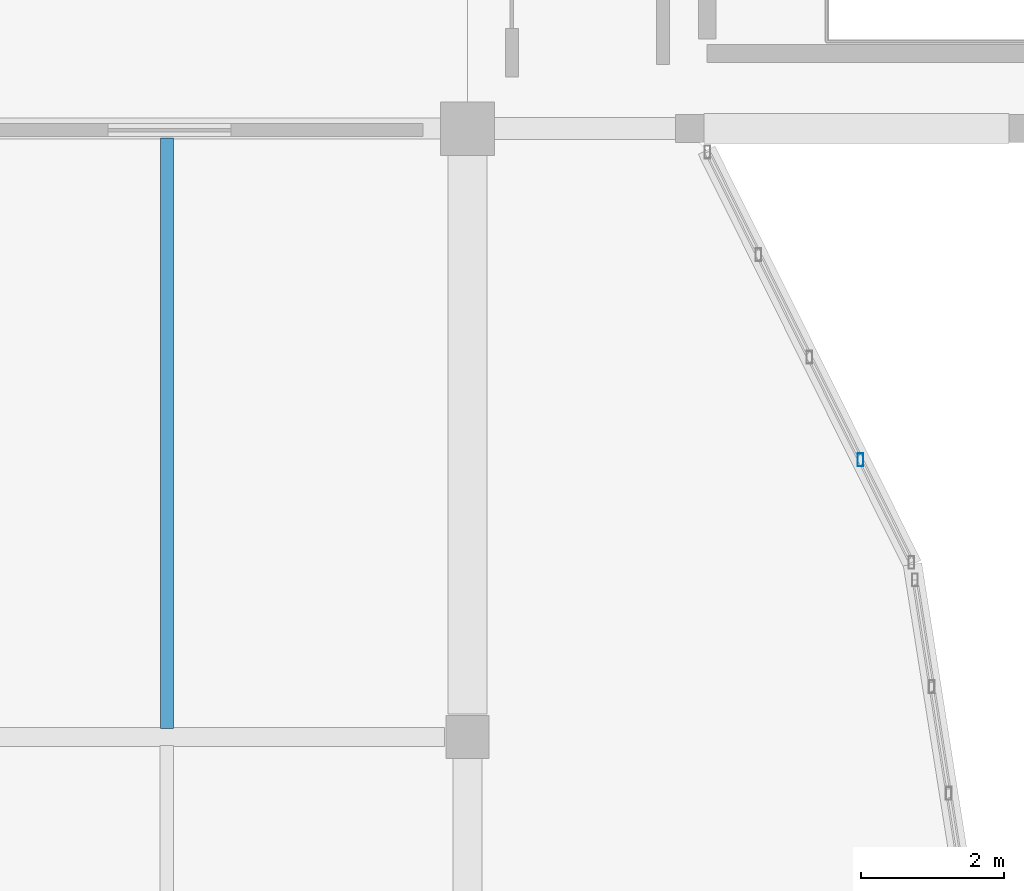
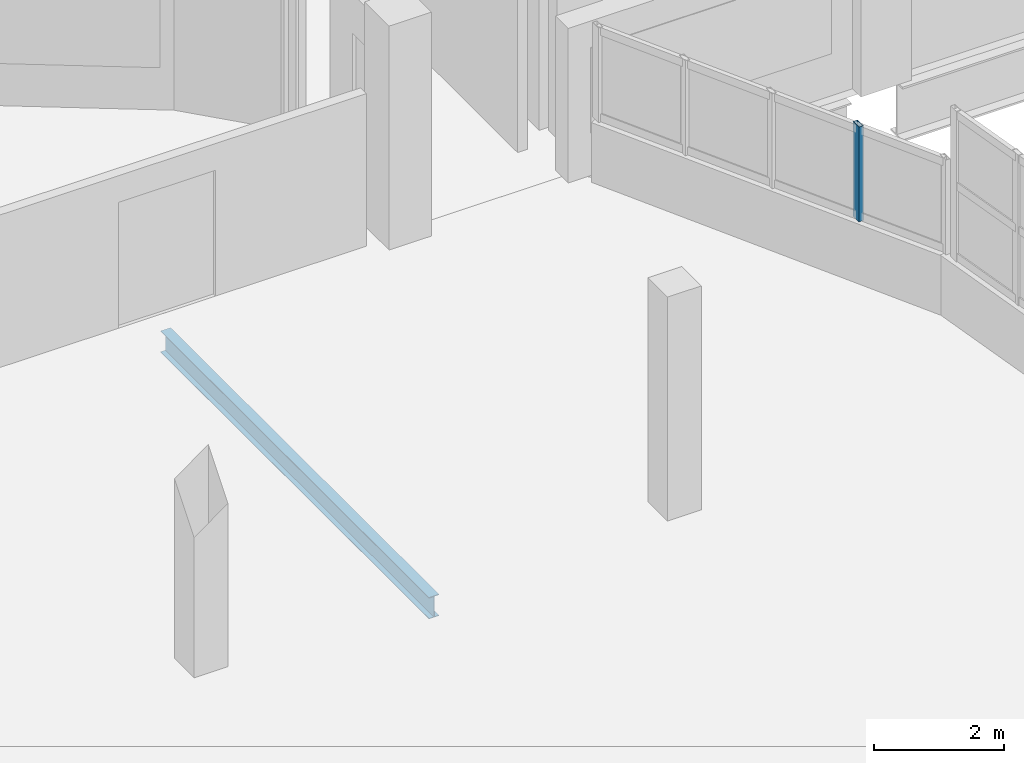
# One storey, part 24 of 52: 1 beam, 1 member, 1 element without a shape of its own.
"""IFC4 building model written with IfcOpenShell, lengths in metres."""

from ifc_helpers import new_model, si_unit, direction, frame, origin, origin_2d, place, context, subcontext, project, spatial, hollow_rectangle, i_section, extrude, material, material_profile, profile_set, type_object, element, aggregate, save


model = new_model("IFC4")

# Units and contexts
model_context = context("Model", 3, precision=1e-05, world=origin(), true_north=direction((0.0, 1.0)))
body_context = subcontext(model_context, "Body", "Model", "MODEL_VIEW")
ifc_project = project(units=[si_unit("LENGTHUNIT", "METRE"), si_unit("AREAUNIT", "SQUARE_METRE"), si_unit("VOLUMEUNIT", "CUBIC_METRE"), si_unit("PLANEANGLEUNIT", "RADIAN"), si_unit("MASSUNIT", "GRAM", prefix="KILO")], contexts=[model_context])

# Site, building, storey
site_placement = place(None, origin())
site = spatial("IfcSite", under=ifc_project, at=site_placement, CompositionType="ELEMENT")
building_placement = place(site_placement, origin())
building = spatial("IfcBuilding", under=site, at=building_placement, Name="Solvento Point Concert Hall", CompositionType="ELEMENT")
storey_placement = place(building_placement, frame((0.0, 0.0, 19.5)))
storey = spatial("IfcBuildingStorey", under=building, at=storey_placement, Name="L04", CompositionType="ELEMENT", Elevation=19.5)

# Beam
ifc_material_1 = material(Name="Structural Steel ASTM A992 Grade 50", Category="steel")
ifc_material_profile_1 = material_profile(ifc_material_1, i_section(OverallWidth=0.177490234375, OverallDepth=0.403076171875, WebThickness=0.007568359375, FlangeThickness=0.010986328125, at=origin_2d()), Name="W16X36")
ifc_profile_set_1 = profile_set([ifc_material_profile_1], Name="Structural Steel ASTM A992 Grade 50")
beam_type = type_object("IfcBeamType", Name="Joist_W16X36", PredefinedType="JOIST", material=ifc_profile_set_1)
beam_placement = place(storey_placement, frame((78.60009765625, 34.118896484375, -0.49560546875), z_axis=(0.0, 1.0, 0.0), x_axis=(-1.0, 0.0, 0.0)))
element("IfcBeam", 1, at=beam_placement, inside=storey, type_object=beam_type, Name="Secondary floor joist B-30 L04", PredefinedType="JOIST", context=body_context, shape_type="SweptSolid", body=[
    extrude(i_section(OverallWidth=0.177490234375, OverallDepth=0.403076171875, WebThickness=0.007568359375, FlangeThickness=0.010986328125, at=origin_2d()), origin(), (0.0, 0.0, 1.0), 8.25),
])

# Curtain wall, member
ifc_material_2 = material(Name="Anodized Bronze Aluminium", Category="aluminium")
curtain_wall_type = type_object("IfcCurtainWallType", Name="CurtainWall_RingRibbon_L03_04", PredefinedType="USERDEFINED", material=ifc_material_2)
curtain_wall_placement = place(storey_placement, origin())
curtain_wall = element("IfcCurtainWall", 2, at=curtain_wall_placement, inside=storey, type_object=curtain_wall_type, Name="Unitised curtain wall CW-31 UCW-L04-223", ObjectType="UNITISED CURTAIN WALL", PredefinedType="USERDEFINED")
ifc_material_3 = material(Name="Anodized Bronze Aluminium", Category="aluminium")
ifc_material_profile_2 = material_profile(ifc_material_3, hollow_rectangle(XDim=0.080078125, YDim=0.179931640625, WallThickness=0.00390625, at=origin_2d()), Name="CW-MUL-80X180")
ifc_profile_set_2 = profile_set([ifc_material_profile_2], Name="Anodized Bronze Aluminium")
member_type = type_object("IfcMemberType", Name="Mullion_80x180", PredefinedType="MULLION", material=ifc_profile_set_2)
member_placement = place(storey_placement, frame((88.292724609375, 37.872314453125, 1.1201171875), z_axis=(0.0, 0.0, 1.0), x_axis=(1.0, 0.0, 0.0)))
member = element("IfcMember", 3, at=member_placement, type_object=member_type, Name="Curtain wall mullion ML-01", PredefinedType="MULLION", context=body_context, shape_type="SweptSolid", body=[
    extrude(hollow_rectangle(XDim=0.080078125, YDim=0.179931640625, WallThickness=0.00390625, at=origin_2d()), origin(), (0.0, 0.0, 1.0), 1.77783203125),
])
aggregate(curtain_wall, [member])

save(model, "model.ifc")
